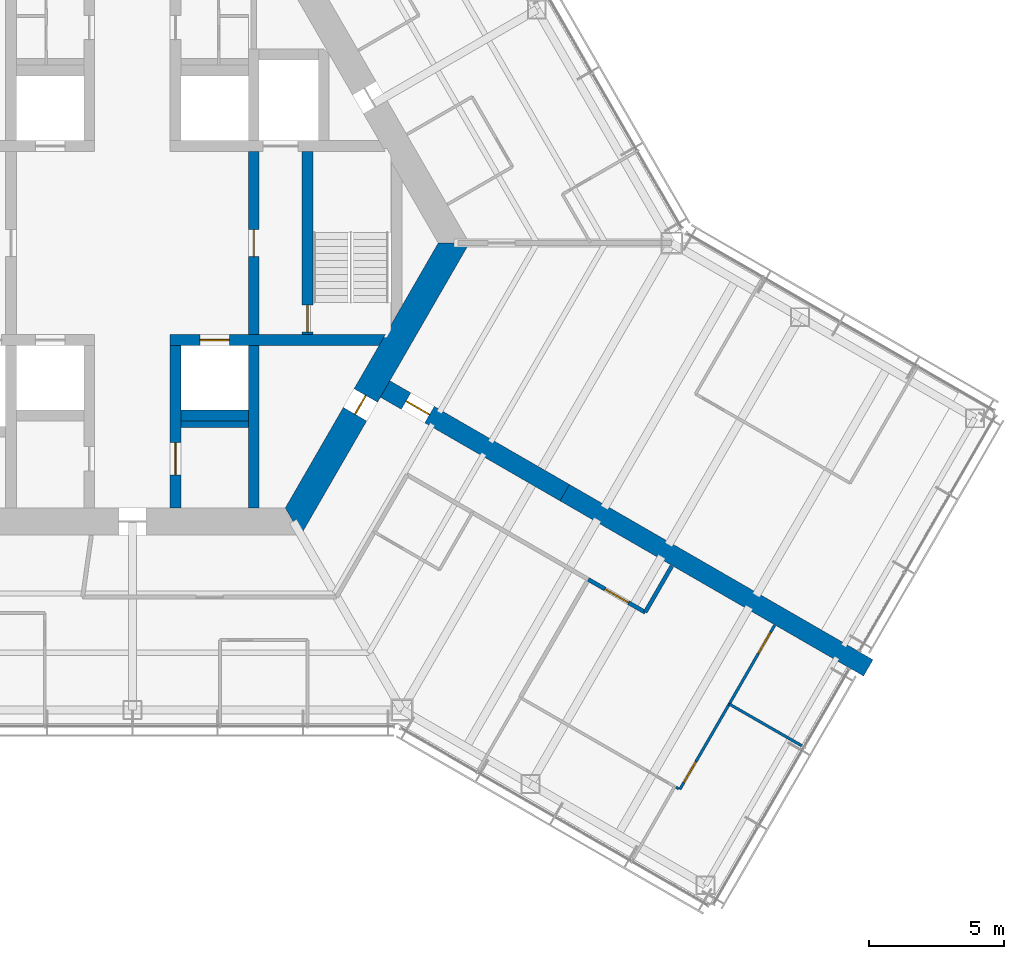
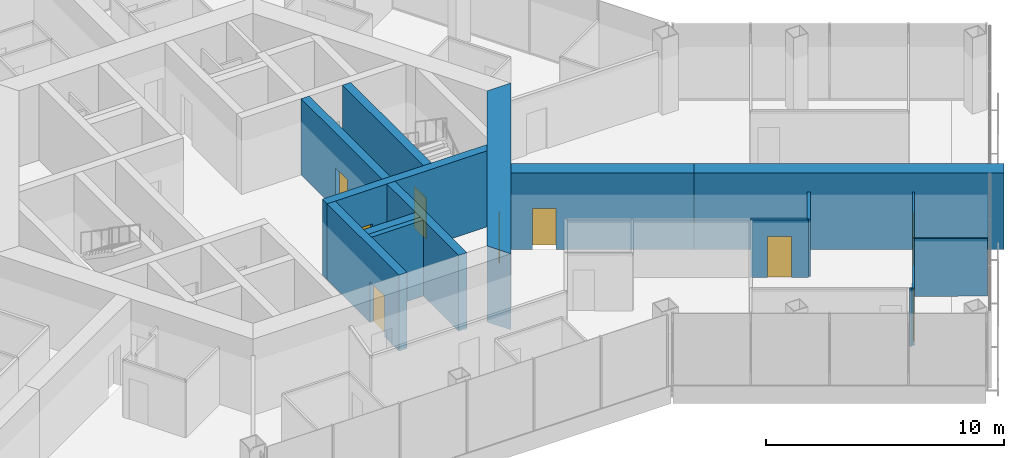
# One storey, part 14 of 19: 16 walls, 9 doors, 9 openings.
"""IFC4 building model written with IfcOpenShell, lengths in metres."""

from ifc_helpers import new_model, si_unit, direction, frame, frame_2d, origin, place, context, subcontext, project, spatial, polyline, rectangle, outline, extrude, material, layer, layer_set, type_object, element, fill, save


model = new_model("IFC4")

# Units and contexts
model_context = context("Model", 3, precision=1e-05, world=origin(), true_north=direction((0.0, 1.0)))
body_context = subcontext(model_context, "Body", "Model", "MODEL_VIEW")
ifc_project = project(units=[si_unit("LENGTHUNIT", "METRE"), si_unit("AREAUNIT", "SQUARE_METRE"), si_unit("VOLUMEUNIT", "CUBIC_METRE"), si_unit("PLANEANGLEUNIT", "RADIAN"), si_unit("MASSUNIT", "GRAM", prefix="KILO")], contexts=[model_context])

# Site, building, storey
site_placement = place(None, origin())
site = spatial("IfcSite", under=ifc_project, at=site_placement, CompositionType="ELEMENT")
building_placement = place(site_placement, origin())
building = spatial("IfcBuilding", under=site, at=building_placement, Name="Kasaneha Research Tower", CompositionType="ELEMENT")
storey_placement = place(building_placement, frame((0.0, 0.0, 164.300048828125)))
storey = spatial("IfcBuildingStorey", under=building, at=storey_placement, Name="L41", CompositionType="ELEMENT", Elevation=164.300048828125)

# Wall, opening, door
ifc_material_1 = material(Name="Concrete Fc70", Category="concrete")
ifc_layer_1 = layer(ifc_material_1, 0.39990234375)
ifc_layer_set_1 = layer_set([ifc_layer_1], Name="Core internal wall 400 Fc70")
wall_type_1 = type_object("IfcWallType", Name="Core internal wall 400 Fc70", PredefinedType="SHEAR", material=ifc_layer_set_1)
wall_1_placement = place(storey_placement, frame((1.39990234375, -3.60009765625, 0.0), z_axis=(0.0, 0.0, 1.0), x_axis=(1.0, 0.0, 0.0)))
wall_1 = element("IfcWall", 1, at=wall_1_placement, inside=storey, type_object=wall_type_1, Name="Core wall W2E L41", PredefinedType="SHEAR", context=body_context, shape_type="SweptSolid", body=[
    extrude(outline(polyline([(0.0, -0.199951171875), (1.10009765625, -0.199951171875), (2.2001953125, -0.199951171875), (7.7509765625, -0.199951171875), (7.98193359375, 0.199951171875), (2.2001953125, 0.199951171875), (1.10009765625, 0.199951171875), (0.0, 0.199951171875), (0.0, -0.199951171875)])), origin(), (0.0, 0.0, 1.0), 3.89990234375),
])
opening_1_placement = place(wall_1_placement, frame((1.10009765625, 0.0, 0.0)))
opening_1 = element("IfcOpeningElement", 2, at=opening_1_placement, cuts=wall_1, Name="Opening LD-LM2-L41", PredefinedType="OPENING", context=body_context, shape_type="SweptSolid", body=[
    extrude(rectangle(XDim=1.10009765625, YDim=2.10009765625, at=frame_2d((0.550048828125, 1.050048828125))), frame((0.0, 0.2099609375, 0.0), z_axis=(0.0, -1.0, 0.0), x_axis=(1.0, 0.0, 0.0)), (0.0, 0.0, 1.0), 0.419921875),
])
ifc_material_2 = material(Name="Steel", Category="steel")
door_type_1 = type_object("IfcDoorType", Name="Lift landing door 1100x2100", OperationType="DOUBLE_DOOR_SLIDING", PredefinedType="DOOR", material=ifc_material_2)
door_1_placement = place(opening_1_placement, origin())
door_1 = element("IfcDoor", 3, at=door_1_placement, inside=storey, type_object=door_type_1, Name="Landing door LM2 LD-LM2-L41", OperationType="DOUBLE_DOOR_SLIDING", OverallHeight=2.10009765625, OverallWidth=1.10009765625, PredefinedType="DOOR", context=body_context, shape_type="SweptSolid", body=[
    extrude(rectangle(XDim=1.10009765625, YDim=2.10009765625, at=frame_2d((0.550048828125, 1.050048828125))), frame((0.0, 0.02490234375, 0.0), z_axis=(0.0, -1.0, 0.0), x_axis=(1.0, 0.0, 0.0)), (0.0, 0.0, 1.0), 0.050048828125),
])
fill(opening_1, door_1)

wall_2_placement = place(storey_placement, frame((1.60009765625, -3.800048828125, 0.0), z_axis=(0.0, 0.0, 1.0), x_axis=(0.0, -1.0, 0.0)))
wall_2 = element("IfcWall", 4, at=wall_2_placement, inside=storey, type_object=wall_type_1, Name="Core wall CSE L41", PredefinedType="SHEAR", context=body_context, shape_type="SweptSolid", body=[
    extrude(rectangle(XDim=6.02490234375, YDim=0.39990234375, at=frame_2d((3.012451171875, 0.0))), origin(), (0.0, 0.0, 1.0), 3.89990234375),
])
opening_2_placement = place(wall_2_placement, frame((3.60009765625, 0.0, 0.0)))
opening_2 = element("IfcOpeningElement", 5, at=opening_2_placement, cuts=wall_2, Name="Opening L41-D15", PredefinedType="OPENING", context=body_context, shape_type="SweptSolid", body=[
    extrude(rectangle(XDim=1.199951171875, YDim=2.10009765625, at=frame_2d((0.60009765625, 1.050048828125))), frame((0.0, 0.2099609375, 0.0), z_axis=(0.0, -1.0, 0.0), x_axis=(1.0, 0.0, 0.0)), (0.0, 0.0, 1.0), 0.419921875),
])
ifc_material_3 = material(Name="Steel", Category="steel")
door_type_2 = type_object("IfcDoorType", Name="Accessible toilet sliding door FD20 1200x2100", OperationType="SLIDING_TO_LEFT", PredefinedType="DOOR", material=ifc_material_3)
door_2_placement = place(opening_2_placement, origin())
door_2 = element("IfcDoor", 6, at=door_2_placement, inside=storey, type_object=door_type_2, Name="Accessible WC door L41-D15", OperationType="SLIDING_TO_LEFT", OverallHeight=2.10009765625, OverallWidth=1.199951171875, PredefinedType="DOOR", context=body_context, shape_type="SweptSolid", body=[
    extrude(rectangle(XDim=1.199951171875, YDim=2.10009765625, at=frame_2d((0.60009765625, 1.050048828125))), frame((0.0, 0.02490234375, 0.0), z_axis=(0.0, -1.0, 0.0), x_axis=(1.0, 0.0, 0.0)), (0.0, 0.0, 1.0), 0.050048828125),
])
fill(opening_2, door_2)

wall_3_placement = place(storey_placement, frame((4.5, -3.39990234375, 0.0), z_axis=(0.0, 0.0, 1.0), x_axis=(0.0, 1.0, 0.0)))
wall_3 = element("IfcWall", 7, at=wall_3_placement, inside=storey, type_object=wall_type_1, Name="Core wall LBE L41", PredefinedType="SHEAR", context=body_context, shape_type="SweptSolid", body=[
    extrude(rectangle(XDim=6.7998046875, YDim=0.39990234375, at=frame_2d((3.39990234375, 0.0))), origin(), (0.0, 0.0, 1.0), 3.89990234375),
])
opening_3_placement = place(wall_3_placement, frame((2.89990234375, 0.0, 0.0)))
opening_3 = element("IfcOpeningElement", 8, at=opening_3_placement, cuts=wall_3, Name="Opening L41-D08", PredefinedType="OPENING", context=body_context, shape_type="SweptSolid", body=[
    extrude(rectangle(XDim=1.0, YDim=2.10009765625, at=frame_2d((0.5, 1.050048828125))), frame((0.0, 0.2099609375, 0.0), z_axis=(0.0, -1.0, 0.0), x_axis=(1.0, 0.0, 0.0)), (0.0, 0.0, 1.0), 0.419921875),
])
ifc_material_4 = material(Name="Steel", Category="steel")
door_type_3 = type_object("IfcDoorType", Name="Specified fire door FD60 1000x2100", OperationType="NOTDEFINED", PredefinedType="DOOR", material=ifc_material_4)
door_3_placement = place(opening_3_placement, origin())
door_3 = element("IfcDoor", 9, at=door_3_placement, inside=storey, type_object=door_type_3, Name="Lift lobby door east L41-D08", OperationType="SINGLE_SWING_LEFT", OverallHeight=2.10009765625, OverallWidth=1.0, PredefinedType="DOOR", context=body_context, shape_type="SweptSolid", body=[
    extrude(rectangle(XDim=1.0, YDim=2.10009765625, at=frame_2d((0.5, 1.050048828125))), frame((0.0, 0.02490234375, 0.0), z_axis=(0.0, -1.0, 0.0), x_axis=(1.0, 0.0, 0.0)), (0.0, 0.0, 1.0), 0.050048828125),
])
fill(opening_3, door_3)

wall_4_placement = place(storey_placement, frame((6.5, -3.39990234375, 0.0), z_axis=(0.0, 0.0, 1.0), x_axis=(0.0, 1.0, 0.0)))
wall_4 = element("IfcWall", 10, at=wall_4_placement, inside=storey, type_object=wall_type_1, Name="Core wall ANE L41", PredefinedType="SHEAR", context=body_context, shape_type="SweptSolid", body=[
    extrude(rectangle(XDim=6.7998046875, YDim=0.39990234375, at=frame_2d((3.39990234375, 0.0))), origin(), (0.0, 0.0, 1.0), 3.89990234375),
])
opening_4_placement = place(wall_4_placement, frame((0.10009765625, 0.0, 0.0)))
opening_4 = element("IfcOpeningElement", 11, at=opening_4_placement, cuts=wall_4, Name="Opening L41-D10", PredefinedType="OPENING", context=body_context, shape_type="SweptSolid", body=[
    extrude(rectangle(XDim=1.0, YDim=2.10009765625, at=frame_2d((0.5, 1.050048828125))), frame((0.0, 0.2099609375, 0.0), z_axis=(0.0, -1.0, 0.0), x_axis=(1.0, 0.0, 0.0)), (0.0, 0.0, 1.0), 0.419921875),
])
door_4_placement = place(opening_4_placement, origin())
door_4 = element("IfcDoor", 12, at=door_4_placement, inside=storey, type_object=door_type_3, Name="Stair 1 door L41-D10", OperationType="SINGLE_SWING_LEFT", OverallHeight=2.10009765625, OverallWidth=1.0, PredefinedType="DOOR", context=body_context, shape_type="SweptSolid", body=[
    extrude(rectangle(XDim=1.0, YDim=2.10009765625, at=frame_2d((0.5, 1.050048828125))), frame((0.0, 0.02490234375, 0.0), z_axis=(0.0, -1.0, 0.0), x_axis=(1.0, 0.0, 0.0)), (0.0, 0.0, 1.0), 0.050048828125),
])
fill(opening_4, door_4)

# Walls
wall_5_placement = place(storey_placement, frame((4.5, -3.800048828125, 0.0), z_axis=(0.0, 0.0, 1.0), x_axis=(0.0, -1.0, 0.0)))
element("IfcWall", 13, at=wall_5_placement, inside=storey, type_object=wall_type_1, Name="Core wall SSE L41", PredefinedType="SHEAR", context=body_context, shape_type="SweptSolid", body=[
    extrude(rectangle(XDim=6.02490234375, YDim=0.39990234375, at=frame_2d((3.012451171875, 0.0))), origin(), (0.0, 0.0, 1.0), 3.89990234375),
])
wall_6_placement = place(storey_placement, frame((1.800048828125, -6.39990234375, 0.0), z_axis=(0.0, 0.0, 1.0), x_axis=(1.0, 0.0, 0.0)))
element("IfcWall", 14, at=wall_6_placement, inside=storey, type_object=wall_type_1, Name="Core wall S3S L41", PredefinedType="SHEAR", context=body_context, shape_type="SweptSolid", body=[
    extrude(rectangle(XDim=2.5, YDim=0.39990234375, at=frame_2d((1.25, 0.0))), origin(), (0.0, 0.0, 1.0), 3.89990234375),
])

# Wall, opening, door
ifc_material_5 = material(Name="Concrete Fc70", Category="concrete")
ifc_layer_2 = layer(ifc_material_5, 1.0)
ifc_layer_set_2 = layer_set([ifc_layer_2], Name="Core wall 1000 Fc70")
wall_type_2 = type_object("IfcWallType", Name="Core wall 1000 Fc70", PredefinedType="SHEAR", material=ifc_layer_set_2)
wall_7_placement = place(storey_placement, frame((5.961181640625, -10.324951171875, 0.0), z_axis=(0.0, 0.0, 1.0), x_axis=(0.500004296715, 0.866022923061, 0.0)))
wall_7 = element("IfcWall", 15, at=wall_7_placement, inside=storey, type_object=wall_type_2, Name="Core wall 330 L41", PredefinedType="SHEAR", context=body_context, shape_type="SweptSolid", body=[
    extrude(outline(polyline([(-0.28857421875, -0.5), (4.593994140625, -0.5), (5.39404296875, -0.5), (12.2109375, -0.5), (11.6337890625, 0.5), (5.39404296875, 0.5), (4.593994140625, 0.5), (0.28857421875, 0.5), (-0.28857421875, -0.5)])), origin(), (0.0, 0.0, 1.0), 3.89990234375),
])
opening_5_placement = place(wall_7_placement, frame((4.593994140625, 0.0, 0.0)))
opening_5 = element("IfcOpeningElement", 16, at=opening_5_placement, cuts=wall_7, Name="Opening L41-D05", PredefinedType="OPENING", context=body_context, shape_type="SweptSolid", body=[
    extrude(rectangle(XDim=0.800048828125, YDim=2.10009765625, at=frame_2d((0.39990234375, 1.050048828125))), frame((0.0, 0.510009765625, 0.0), z_axis=(0.0, -1.0, 0.0), x_axis=(1.0, 0.0, 0.0)), (0.0, 0.0, 1.0), 1.02001953125),
])
ifc_material_6 = material(Name="Steel", Category="steel")
door_type_4 = type_object("IfcDoorType", Name="Riser access door FD60 800x2100", OperationType="NOTDEFINED", PredefinedType="DOOR", material=ifc_material_6)
door_5_placement = place(opening_5_placement, origin())
door_5 = element("IfcDoor", 17, at=door_5_placement, inside=storey, type_object=door_type_4, Name="Pipe riser door L41-D05", OperationType="SINGLE_SWING_LEFT", OverallHeight=2.10009765625, OverallWidth=0.800048828125, PredefinedType="DOOR", context=body_context, shape_type="SweptSolid", body=[
    extrude(rectangle(XDim=0.800048828125, YDim=2.10009765625, at=frame_2d((0.39990234375, 1.050048828125))), frame((0.0, 0.02490234375, 0.0), z_axis=(0.0, -1.0, 0.0), x_axis=(1.0, 0.0, 0.0)), (0.0, 0.0, 1.0), 0.050048828125),
])
fill(opening_5, door_5)

# Wall
ifc_material_7 = material(Name="Gypsum board on steel studs, one layer each side", Category="steel")
ifc_layer_3 = layer(ifc_material_7, 0.10009765625)
ifc_layer_set_3 = layer_set([ifc_layer_3], Name="Office partition 100")
wall_type_3 = type_object("IfcWallType", Name="Office partition 100", PredefinedType="PARTITIONING", material=ifc_layer_set_3)
wall_8_placement = place(storey_placement, frame((22.137451171875, -17.09765625, 0.0), z_axis=(0.0, 0.0, 1.0), x_axis=(0.866817104484, -0.498626220103, 0.0)))
element("IfcWall", 18, at=wall_8_placement, inside=storey, type_object=wall_type_3, Name="Office partition FCS14 L41", PredefinedType="PARTITIONING", context=body_context, shape_type="SweptSolid", body=[
    extrude(rectangle(XDim=3.105224609375, YDim=0.10009765625, at=frame_2d((1.552734375, 0.0))), origin(), (0.0, 0.0, 1.0), 2.949951171875),
])

# Wall, opening, door
wall_9_placement = place(storey_placement, frame((20.306396484375, -20.267578125, 0.0), z_axis=(0.0, 0.0, 1.0), x_axis=(0.501222652689, 0.865318353227, 0.0)))
wall_9 = element("IfcWall", 19, at=wall_9_placement, inside=storey, type_object=wall_type_3, Name="Office partition FCS15 L41", PredefinedType="PARTITIONING", context=body_context, shape_type="SweptSolid", body=[
    extrude(rectangle(XDim=3.665771484375, YDim=0.10009765625, at=frame_2d((1.8330078125, 0.0))), origin(), (0.0, 0.0, 1.0), 2.949951171875),
])
opening_6_placement = place(wall_9_placement, frame((0.300048828125, 0.0, 0.0)))
opening_6 = element("IfcOpeningElement", 20, at=opening_6_placement, cuts=wall_9, Name="Opening L41-D51", PredefinedType="OPENING", context=body_context, shape_type="SweptSolid", body=[
    extrude(rectangle(XDim=0.89990234375, YDim=2.10009765625, at=frame_2d((0.449951171875, 1.050048828125))), frame((0.0, 0.06005859375, 0.0), z_axis=(0.0, -1.0, 0.0), x_axis=(1.0, 0.0, 0.0)), (0.0, 0.0, 1.0), 0.1201171875),
])
ifc_material_8 = material(Name="Timber veneer", Category="wood")
door_type_5 = type_object("IfcDoorType", Name="Office door 900x2100", OperationType="SINGLE_SWING_LEFT", PredefinedType="DOOR", material=ifc_material_8)
door_6_placement = place(opening_6_placement, origin())
door_6 = element("IfcDoor", 21, at=door_6_placement, inside=storey, type_object=door_type_5, Name="Manager's office door L41-D51", OperationType="SINGLE_SWING_LEFT", OverallHeight=2.10009765625, OverallWidth=0.89990234375, PredefinedType="DOOR", context=body_context, shape_type="SweptSolid", body=[
    extrude(rectangle(XDim=0.89990234375, YDim=2.10009765625, at=frame_2d((0.449951171875, 1.050048828125))), frame((0.0, 0.02490234375, 0.0), z_axis=(0.0, -1.0, 0.0), x_axis=(1.0, 0.0, 0.0)), (0.0, 0.0, 1.0), 0.050048828125),
])
fill(opening_6, door_6)

wall_10_placement = place(storey_placement, frame((22.143798828125, -17.095458984375, 0.0), z_axis=(0.0, 0.0, 1.0), x_axis=(0.49891157834, 0.866652893031, 0.0)))
wall_10 = element("IfcWall", 22, at=wall_10_placement, inside=storey, type_object=wall_type_3, Name="Office partition FCS16 L41", PredefinedType="PARTITIONING", context=body_context, shape_type="SweptSolid", body=[
    extrude(rectangle(XDim=3.36328125, YDim=0.10009765625, at=frame_2d((1.681640625, 0.0))), origin(), (0.0, 0.0, 1.0), 2.949951171875),
])
opening_7_placement = place(wall_10_placement, frame((2.163330078125, 0.0, 0.0)))
opening_7 = element("IfcOpeningElement", 23, at=opening_7_placement, cuts=wall_10, Name="Opening L41-D52", PredefinedType="OPENING", context=body_context, shape_type="SweptSolid", body=[
    extrude(rectangle(XDim=0.89990234375, YDim=2.10009765625, at=frame_2d((0.449951171875, 1.050048828125))), frame((0.0, 0.06005859375, 0.0), z_axis=(0.0, -1.0, 0.0), x_axis=(1.0, 0.0, 0.0)), (0.0, 0.0, 1.0), 0.1201171875),
])
door_7_placement = place(opening_7_placement, origin())
door_7 = element("IfcDoor", 24, at=door_7_placement, inside=storey, type_object=door_type_5, Name="Manager's office door L41-D52", OperationType="SINGLE_SWING_RIGHT", OverallHeight=2.10009765625, OverallWidth=0.89990234375, PredefinedType="DOOR", context=body_context, shape_type="SweptSolid", body=[
    extrude(rectangle(XDim=0.89990234375, YDim=2.10009765625, at=frame_2d((0.449951171875, 1.050048828125))), frame((0.0, 0.02490234375, 0.0), z_axis=(0.0, -1.0, 0.0), x_axis=(1.0, 0.0, 0.0)), (0.0, 0.0, 1.0), 0.050048828125),
])
fill(opening_7, door_7)

# Wall
wall_11_placement = place(storey_placement, frame((20.262939453125, -20.24267578125, 0.0), z_axis=(0.0, 0.0, 1.0), x_axis=(-0.868768086692, 0.495219155068, 0.0)))
element("IfcWall", 25, at=wall_11_placement, inside=storey, type_object=wall_type_3, Name="Office partition closer PT5 L41", PredefinedType="PARTITIONING", context=body_context, shape_type="SweptSolid", body=[
    extrude(rectangle(XDim=0.1142578125, YDim=0.10009765625, at=frame_2d((0.05712890625, 0.0))), origin(), (0.0, 0.0, 1.0), 2.949951171875),
])

# Wall, opening, door
ifc_material_9 = material(Name="Concrete Fc70", Category="concrete")
ifc_layer_4 = layer(ifc_material_9, 0.699951171875)
ifc_layer_set_4 = layer_set([ifc_layer_4], Name="Spine wall 700 Fc70")
wall_type_4 = type_object("IfcWallType", Name="Spine wall 700 Fc70", PredefinedType="SHEAR", material=ifc_layer_set_4)
wall_12_placement = place(storey_placement, frame((9.374755859375, -5.41259765625, 0.0), z_axis=(0.0, 0.0, 1.0), x_axis=(0.866032377459, -0.499987921047, 0.0)))
wall_12 = element("IfcWall", 26, at=wall_12_placement, inside=storey, type_object=wall_type_4, Name="Spine wall C L41", PredefinedType="SHEAR", context=body_context, shape_type="SweptSolid", body=[
    extrude(rectangle(XDim=7.695556640625, YDim=0.699951171875, at=frame_2d((3.84765625, 0.0))), origin(), (0.0, 0.0, 1.0), 3.89990234375),
])
opening_8_placement = place(wall_12_placement, frame((0.89990234375, 0.0, 0.0)))
opening_8 = element("IfcOpeningElement", 27, at=opening_8_placement, cuts=wall_12, Name="Opening L41-D19", PredefinedType="OPENING", context=body_context, shape_type="SweptSolid", body=[
    extrude(rectangle(XDim=1.0, YDim=2.10009765625, at=frame_2d((0.5, 1.050048828125))), frame((0.0, 0.35986328125, 0.0), z_axis=(0.0, -1.0, 0.0), x_axis=(1.0, 0.0, 0.0)), (0.0, 0.0, 1.0), 0.719970703125),
])
door_8_placement = place(opening_8_placement, origin())
door_8 = element("IfcDoor", 28, at=door_8_placement, inside=storey, type_object=door_type_3, Name="Spine doorway C L41-D19", OperationType="SINGLE_SWING_LEFT", OverallHeight=2.10009765625, OverallWidth=1.0, PredefinedType="DOOR", context=body_context, shape_type="SweptSolid", body=[
    extrude(rectangle(XDim=1.0, YDim=2.10009765625, at=frame_2d((0.5, 1.050048828125))), frame((0.0, 0.02490234375, 0.0), z_axis=(0.0, -1.0, 0.0), x_axis=(1.0, 0.0, 0.0)), (0.0, 0.0, 1.0), 0.050048828125),
])
fill(opening_8, door_8)

# Wall
wall_13_placement = place(storey_placement, frame((16.039306640625, -9.26025390625, 0.0), z_axis=(0.0, 0.0, 1.0), x_axis=(0.866024837091, -0.50000098154, 0.0)))
element("IfcWall", 29, at=wall_13_placement, inside=storey, type_object=wall_type_4, Name="Spine wall C wing L41", PredefinedType="SHEAR", context=body_context, shape_type="SweptSolid", body=[
    extrude(rectangle(XDim=13.0, YDim=0.699951171875, at=frame_2d((6.5, 0.0))), origin(), (0.0, 0.0, 1.0), 3.89990234375),
])

# Wall, opening, door
ifc_material_10 = material(Name="Gypsum board on steel studs, two layers each side", Category="steel")
ifc_layer_5 = layer(ifc_material_10, 0.14990234375)
ifc_layer_set_5 = layer_set([ifc_layer_5], Name="Suite partition 150")
wall_type_5 = type_object("IfcWallType", Name="Suite partition 150", PredefinedType="PARTITIONING", material=ifc_layer_set_5)
wall_14_placement = place(storey_placement, frame((19.021240234375, -13.6953125, 0.0), z_axis=(0.0, 0.0, 1.0), x_axis=(-0.866068692046, 0.499925015036, 0.0)))
wall_14 = element("IfcWall", 30, at=wall_14_placement, inside=storey, type_object=wall_type_5, Name="Suite partition FCS07 L41", PredefinedType="PARTITIONING", context=body_context, shape_type="SweptSolid", body=[
    extrude(rectangle(XDim=2.434326171875, YDim=0.14990234375, at=frame_2d((1.21728515625, 0.0))), origin(), (0.0, 0.0, 1.0), 2.949951171875),
])
opening_9_placement = place(wall_14_placement, frame((0.71728515625, 0.0, 0.0)))
opening_9 = element("IfcOpeningElement", 31, at=opening_9_placement, cuts=wall_14, Name="Opening L41-D48", PredefinedType="OPENING", context=body_context, shape_type="SweptSolid", body=[
    extrude(rectangle(XDim=1.0, YDim=2.10009765625, at=frame_2d((0.5, 1.050048828125))), frame((0.0, 0.0849609375, 0.0), z_axis=(0.0, -1.0, 0.0), x_axis=(1.0, 0.0, 0.0)), (0.0, 0.0, 1.0), 0.169921875),
])
ifc_material_11 = material(Name="Steel", Category="steel")
door_type_6 = type_object("IfcDoorType", Name="Suite entrance door FD60 1000x2100", OperationType="NOTDEFINED", PredefinedType="DOOR", material=ifc_material_11)
door_9_placement = place(opening_9_placement, origin())
door_9 = element("IfcDoor", 32, at=door_9_placement, inside=storey, type_object=door_type_6, Name="Suite entrance door L41-D48", OperationType="SINGLE_SWING_LEFT", OverallHeight=2.10009765625, OverallWidth=1.0, PredefinedType="DOOR", context=body_context, shape_type="SweptSolid", body=[
    extrude(rectangle(XDim=1.0, YDim=2.10009765625, at=frame_2d((0.5, 1.050048828125))), frame((0.0, 0.02490234375, 0.0), z_axis=(0.0, -1.0, 0.0), x_axis=(1.0, 0.0, 0.0)), (0.0, 0.0, 1.0), 0.050048828125),
])
fill(opening_9, door_9)

# Walls
wall_15_placement = place(storey_placement, frame((20.01123046875, -11.980712890625, 0.0), z_axis=(0.0, 0.0, 1.0), x_axis=(-0.500024883228, -0.866011036969, 0.0)))
element("IfcWall", 33, at=wall_15_placement, inside=storey, type_object=wall_type_5, Name="Suite partition FCS08 L41", PredefinedType="PARTITIONING", context=body_context, shape_type="SweptSolid", body=[
    extrude(rectangle(XDim=1.97998046875, YDim=0.14990234375, at=frame_2d((0.989990234375, 0.0))), origin(), (0.0, 0.0, 1.0), 2.949951171875),
])
ifc_material_12 = material(Name="Concrete block lining", Category="concrete")
ifc_layer_6 = layer(ifc_material_12, 0.25)
ifc_layer_set_6 = layer_set([ifc_layer_6], Name="WC plumbing wall 250")
wall_type_6 = type_object("IfcWallType", Name="WC plumbing wall 250", PredefinedType="PLUMBINGWALL", material=ifc_layer_set_6)
wall_16_placement = place(storey_placement, frame((1.800048828125, -6.72509765625, 0.0), z_axis=(0.0, 0.0, 1.0), x_axis=(1.0, 0.0, 0.0)))
element("IfcWall", 34, at=wall_16_placement, inside=storey, type_object=wall_type_6, Name="WC plumbing wall A L41", PredefinedType="PLUMBINGWALL", context=body_context, shape_type="SweptSolid", body=[
    extrude(rectangle(XDim=2.5, YDim=0.25, at=frame_2d((1.25, 0.0))), origin(), (0.0, 0.0, 1.0), 3.89990234375),
])

save(model, "model.ifc")
